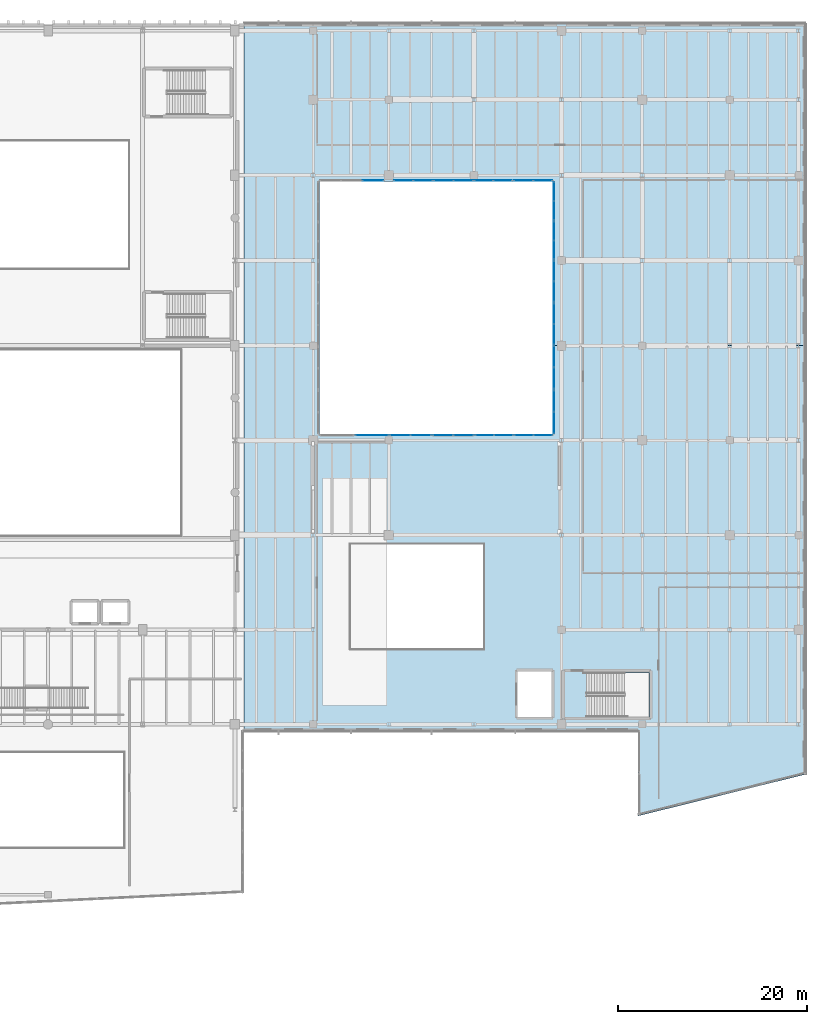
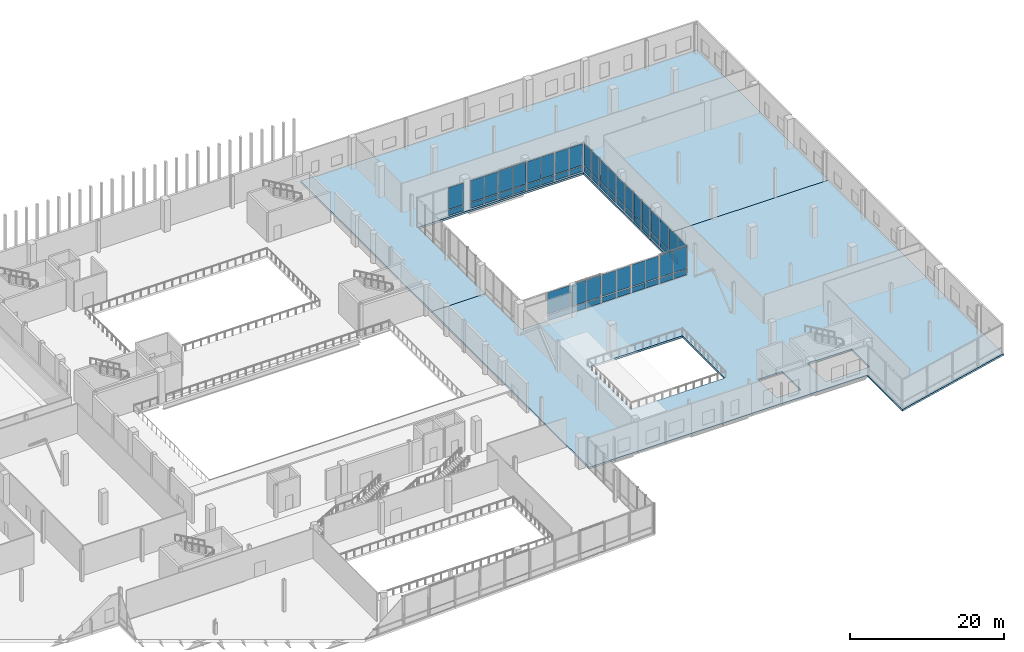
# One storey, part 55 of 81: 60 plates, 2 slabs, 16 elements without a shape of their own.
"""IFC4 building model written with IfcOpenShell, lengths in metres."""

from ifc_helpers import new_model, si_unit, direction, frame, origin, origin_2d, place, context, subcontext, project, spatial, polyline, rectangle, outline, extrude, material, layer, layer_set, type_object, element, aggregate, save


model = new_model("IFC4")

# Units and contexts
model_context = context("Model", 3, precision=1e-05, world=origin(), true_north=direction((0.0, 1.0)))
body_context = subcontext(model_context, "Body", "Model", "MODEL_VIEW")
ifc_project = project(units=[si_unit("LENGTHUNIT", "METRE"), si_unit("AREAUNIT", "SQUARE_METRE"), si_unit("VOLUMEUNIT", "CUBIC_METRE"), si_unit("PLANEANGLEUNIT", "RADIAN"), si_unit("MASSUNIT", "GRAM", prefix="KILO")], contexts=[model_context])

# Site, building, storey
site_placement = place(None, origin())
site = spatial("IfcSite", under=ifc_project, at=site_placement, CompositionType="ELEMENT")
building_placement = place(site_placement, origin())
building = spatial("IfcBuilding", under=site, at=building_placement, Name="Trimount Lyric Opera House", CompositionType="ELEMENT")
storey_placement = place(building_placement, frame((0.0, 0.0, 5.0)))
storey = spatial("IfcBuildingStorey", under=building, at=storey_placement, Name="L01", CompositionType="ELEMENT", Elevation=5.0)

# Curtain wall, plate
ifc_material_1 = material(Name="Thermally Broken Aluminium and Low-E Glass", Category="aluminium")
curtain_wall_type = type_object("IfcCurtainWallType", Name="CW-03", PredefinedType="NOTDEFINED", material=ifc_material_1)
curtain_wall_1_placement = place(storey_placement, origin())
curtain_wall_1 = element("IfcCurtainWall", 1, at=curtain_wall_1_placement, inside=storey, type_object=curtain_wall_type, Name="L01 curtain wall 121", PredefinedType="NOTDEFINED")
ifc_material_2 = material(Name="Triple Low-E Acoustic Laminated Glass", Category="glass")
ifc_layer_1 = layer(ifc_material_2, 0.035888671875)
ifc_layer_set_1 = layer_set([ifc_layer_1], Name="CWP-01")
plate_type_1 = type_object("IfcPlateType", Name="CWP-01", PredefinedType="CURTAIN_PANEL", material=ifc_layer_set_1)
plate_1_placement = place(storey_placement, frame((128.215087890625, 74.5400390625, 0.13525390625), z_axis=(0.0, 0.0, 1.0), x_axis=(1.0, 0.0, 0.0)))
plate_1 = element("IfcPlate", 2, at=plate_1_placement, type_object=plate_type_1, Name="CW-03 panel 1.1", PredefinedType="CURTAIN_PANEL", context=body_context, shape_type="SweptSolid", body=[
    extrude(rectangle(XDim=3.43994140625, YDim=0.035888671875, at=origin_2d()), origin(), (0.0, 0.0, 1.0), 0.847412109375),
])

# Curtain wall, plates
curtain_wall_2_placement = place(storey_placement, origin())
curtain_wall_2 = element("IfcCurtainWall", 3, at=curtain_wall_2_placement, inside=storey, type_object=curtain_wall_type, Name="L01 curtain wall 122", PredefinedType="NOTDEFINED")
plate_2_placement = place(storey_placement, frame((131.20751953125, 74.5400390625, 0.114990234375), z_axis=(0.0, 0.0, 1.0), x_axis=(1.0, 0.0, 0.0)))
plate_2 = element("IfcPlate", 4, at=plate_2_placement, type_object=plate_type_1, Name="CW-03 panel 1.1", PredefinedType="CURTAIN_PANEL", context=body_context, shape_type="SweptSolid", body=[
    extrude(rectangle(XDim=2.114990234375, YDim=0.035888671875, at=origin_2d()), origin(), (0.0, 0.0, 1.0), 0.87744140625),
])
plate_3_placement = place(storey_placement, frame((133.382568359375, 74.5400390625, 0.114990234375), z_axis=(0.0, 0.0, 1.0), x_axis=(1.0, 0.0, 0.0)))
plate_3 = element("IfcPlate", 5, at=plate_3_placement, type_object=plate_type_1, Name="CW-03 panel 2.1", PredefinedType="CURTAIN_PANEL", context=body_context, shape_type="SweptSolid", body=[
    extrude(rectangle(XDim=2.114990234375, YDim=0.035888671875, at=origin_2d()), origin(), (0.0, 0.0, 1.0), 0.87744140625),
])

curtain_wall_3_placement = place(storey_placement, origin())
curtain_wall_3 = element("IfcCurtainWall", 6, at=curtain_wall_3_placement, inside=storey, type_object=curtain_wall_type, Name="L01 curtain wall 123", PredefinedType="NOTDEFINED")
plate_4_placement = place(storey_placement, frame((135.7099609375, 74.5400390625, 0.159912109375), z_axis=(0.0, 0.0, 1.0), x_axis=(1.0, 0.0, 0.0)))
plate_4 = element("IfcPlate", 7, at=plate_4_placement, type_object=plate_type_1, Name="CW-03 panel 1.1", PredefinedType="CURTAIN_PANEL", context=body_context, shape_type="SweptSolid", body=[
    extrude(rectangle(XDim=2.10009765625, YDim=0.035888671875, at=origin_2d()), origin(), (0.0, 0.0, 1.0), 0.81005859375),
])
plate_5_placement = place(storey_placement, frame((137.8798828125, 74.5400390625, 0.159912109375), z_axis=(0.0, 0.0, 1.0), x_axis=(1.0, 0.0, 0.0)))
plate_5 = element("IfcPlate", 8, at=plate_5_placement, type_object=plate_type_1, Name="CW-03 panel 2.1", PredefinedType="CURTAIN_PANEL", context=body_context, shape_type="SweptSolid", body=[
    extrude(rectangle(XDim=2.10009765625, YDim=0.035888671875, at=origin_2d()), origin(), (0.0, 0.0, 1.0), 0.81005859375),
])

curtain_wall_4_placement = place(storey_placement, origin())
curtain_wall_4 = element("IfcCurtainWall", 9, at=curtain_wall_4_placement, inside=storey, type_object=curtain_wall_type, Name="L01 curtain wall 124", PredefinedType="NOTDEFINED")
plate_6_placement = place(storey_placement, frame((140.123779296875, 74.5400390625, 0.13525390625), z_axis=(0.0, 0.0, 1.0), x_axis=(1.0, 0.0, 0.0)))
plate_6 = element("IfcPlate", 10, at=plate_6_placement, type_object=plate_type_1, Name="CW-03 panel 1.1", PredefinedType="CURTAIN_PANEL", context=body_context, shape_type="SweptSolid", body=[
    extrude(rectangle(XDim=1.9375, YDim=0.035888671875, at=origin_2d()), origin(), (0.0, 0.0, 1.0), 0.847412109375),
])
plate_7_placement = place(storey_placement, frame((142.126220703125, 74.5400390625, 0.13525390625), z_axis=(0.0, 0.0, 1.0), x_axis=(1.0, 0.0, 0.0)))
plate_7 = element("IfcPlate", 11, at=plate_7_placement, type_object=plate_type_1, Name="CW-03 panel 2.1", PredefinedType="CURTAIN_PANEL", context=body_context, shape_type="SweptSolid", body=[
    extrude(rectangle(XDim=1.9375, YDim=0.035888671875, at=origin_2d()), origin(), (0.0, 0.0, 1.0), 0.847412109375),
])

curtain_wall_5_placement = place(storey_placement, origin())
curtain_wall_5 = element("IfcCurtainWall", 12, at=curtain_wall_5_placement, inside=storey, type_object=curtain_wall_type, Name="L01 curtain wall 125", PredefinedType="NOTDEFINED")
plate_8_placement = place(storey_placement, frame((144.282470703125, 74.5400390625, 0.114990234375), z_axis=(0.0, 0.0, 1.0), x_axis=(1.0, 0.0, 0.0)))
plate_8 = element("IfcPlate", 13, at=plate_8_placement, type_object=plate_type_1, Name="CW-03 panel 1.1", PredefinedType="CURTAIN_PANEL", context=body_context, shape_type="SweptSolid", body=[
    extrude(rectangle(XDim=1.945068359375, YDim=0.035888671875, at=origin_2d()), origin(), (0.0, 0.0, 1.0), 0.87744140625),
])
plate_9_placement = place(storey_placement, frame((146.28759765625, 74.5400390625, 0.114990234375), z_axis=(0.0, 0.0, 1.0), x_axis=(1.0, 0.0, 0.0)))
plate_9 = element("IfcPlate", 14, at=plate_9_placement, type_object=plate_type_1, Name="CW-03 panel 2.1", PredefinedType="CURTAIN_PANEL", context=body_context, shape_type="SweptSolid", body=[
    extrude(rectangle(XDim=1.945068359375, YDim=0.035888671875, at=origin_2d()), origin(), (0.0, 0.0, 1.0), 0.87744140625),
])

curtain_wall_6_placement = place(storey_placement, origin())
curtain_wall_6 = element("IfcCurtainWall", 15, at=curtain_wall_6_placement, inside=storey, type_object=curtain_wall_type, Name="L01 curtain wall 126", PredefinedType="NOTDEFINED")
plate_10_placement = place(storey_placement, frame((147.4599609375, 75.862548828125, 0.159912109375), z_axis=(0.0, 0.0, 1.0), x_axis=(0.0, 1.0, 0.0)))
plate_10 = element("IfcPlate", 16, at=plate_10_placement, type_object=plate_type_1, Name="CW-03 panel 1.1", PredefinedType="CURTAIN_PANEL", context=body_context, shape_type="SweptSolid", body=[
    extrude(rectangle(XDim=2.22509765625, YDim=0.035888671875, at=origin_2d()), origin(), (0.0, 0.0, 1.0), 0.81005859375),
])
plate_11_placement = place(storey_placement, frame((147.4599609375, 78.157470703125, 0.159912109375), z_axis=(0.0, 0.0, 1.0), x_axis=(0.0, 1.0, 0.0)))
plate_11 = element("IfcPlate", 17, at=plate_11_placement, type_object=plate_type_1, Name="CW-03 panel 2.1", PredefinedType="CURTAIN_PANEL", context=body_context, shape_type="SweptSolid", body=[
    extrude(rectangle(XDim=2.22509765625, YDim=0.035888671875, at=origin_2d()), origin(), (0.0, 0.0, 1.0), 0.81005859375),
])

curtain_wall_7_placement = place(storey_placement, origin())
curtain_wall_7 = element("IfcCurtainWall", 18, at=curtain_wall_7_placement, inside=storey, type_object=curtain_wall_type, Name="L01 curtain wall 127", PredefinedType="NOTDEFINED")
plate_12_placement = place(storey_placement, frame((147.4599609375, 80.5888671875, 0.13525390625), z_axis=(0.0, 0.0, 1.0), x_axis=(0.0, 1.0, 0.0)))
plate_12 = element("IfcPlate", 19, at=plate_12_placement, type_object=plate_type_1, Name="CW-03 panel 1.1", PredefinedType="CURTAIN_PANEL", context=body_context, shape_type="SweptSolid", body=[
    extrude(rectangle(XDim=2.1875, YDim=0.035888671875, at=origin_2d()), origin(), (0.0, 0.0, 1.0), 0.847412109375),
])
plate_13_placement = place(storey_placement, frame((147.4599609375, 82.84130859375, 0.13525390625), z_axis=(0.0, 0.0, 1.0), x_axis=(0.0, 1.0, 0.0)))
plate_13 = element("IfcPlate", 20, at=plate_13_placement, type_object=plate_type_1, Name="CW-03 panel 2.1", PredefinedType="CURTAIN_PANEL", context=body_context, shape_type="SweptSolid", body=[
    extrude(rectangle(XDim=2.1875, YDim=0.035888671875, at=origin_2d()), origin(), (0.0, 0.0, 1.0), 0.847412109375),
])

curtain_wall_8_placement = place(storey_placement, origin())
curtain_wall_8 = element("IfcCurtainWall", 21, at=curtain_wall_8_placement, inside=storey, type_object=curtain_wall_type, Name="L01 curtain wall 128", PredefinedType="NOTDEFINED")
plate_14_placement = place(storey_placement, frame((147.4599609375, 85.20751953125, 0.114990234375), z_axis=(0.0, 0.0, 1.0), x_axis=(0.0, 1.0, 0.0)))
plate_14 = element("IfcPlate", 22, at=plate_14_placement, type_object=plate_type_1, Name="CW-03 panel 1.1", PredefinedType="CURTAIN_PANEL", context=body_context, shape_type="SweptSolid", body=[
    extrude(rectangle(XDim=2.114990234375, YDim=0.035888671875, at=origin_2d()), origin(), (0.0, 0.0, 1.0), 0.87744140625),
])
plate_15_placement = place(storey_placement, frame((147.4599609375, 87.382568359375, 0.114990234375), z_axis=(0.0, 0.0, 1.0), x_axis=(0.0, 1.0, 0.0)))
plate_15 = element("IfcPlate", 23, at=plate_15_placement, type_object=plate_type_1, Name="CW-03 panel 2.1", PredefinedType="CURTAIN_PANEL", context=body_context, shape_type="SweptSolid", body=[
    extrude(rectangle(XDim=2.114990234375, YDim=0.035888671875, at=origin_2d()), origin(), (0.0, 0.0, 1.0), 0.87744140625),
])

curtain_wall_9_placement = place(storey_placement, origin())
curtain_wall_9 = element("IfcCurtainWall", 24, at=curtain_wall_9_placement, inside=storey, type_object=curtain_wall_type, Name="L01 curtain wall 129", PredefinedType="NOTDEFINED")
plate_16_placement = place(storey_placement, frame((147.4599609375, 89.7099609375, 0.159912109375), z_axis=(0.0, 0.0, 1.0), x_axis=(0.0, 1.0, 0.0)))
plate_16 = element("IfcPlate", 25, at=plate_16_placement, type_object=plate_type_1, Name="CW-03 panel 1.1", PredefinedType="CURTAIN_PANEL", context=body_context, shape_type="SweptSolid", body=[
    extrude(rectangle(XDim=2.10009765625, YDim=0.035888671875, at=origin_2d()), origin(), (0.0, 0.0, 1.0), 0.81005859375),
])
plate_17_placement = place(storey_placement, frame((147.4599609375, 91.8798828125, 0.159912109375), z_axis=(0.0, 0.0, 1.0), x_axis=(0.0, 1.0, 0.0)))
plate_17 = element("IfcPlate", 26, at=plate_17_placement, type_object=plate_type_1, Name="CW-03 panel 2.1", PredefinedType="CURTAIN_PANEL", context=body_context, shape_type="SweptSolid", body=[
    extrude(rectangle(XDim=2.10009765625, YDim=0.035888671875, at=origin_2d()), origin(), (0.0, 0.0, 1.0), 0.81005859375),
])

curtain_wall_10_placement = place(storey_placement, origin())
curtain_wall_10 = element("IfcCurtainWall", 27, at=curtain_wall_10_placement, inside=storey, type_object=curtain_wall_type, Name="L01 curtain wall 130", PredefinedType="NOTDEFINED")
plate_18_placement = place(storey_placement, frame((147.4599609375, 94.123779296875, 0.13525390625), z_axis=(0.0, 0.0, 1.0), x_axis=(0.0, 1.0, 0.0)))
plate_18 = element("IfcPlate", 28, at=plate_18_placement, type_object=plate_type_1, Name="CW-03 panel 1.1", PredefinedType="CURTAIN_PANEL", context=body_context, shape_type="SweptSolid", body=[
    extrude(rectangle(XDim=1.9375, YDim=0.035888671875, at=origin_2d()), origin(), (0.0, 0.0, 1.0), 0.847412109375),
])
plate_19_placement = place(storey_placement, frame((147.4599609375, 96.126220703125, 0.13525390625), z_axis=(0.0, 0.0, 1.0), x_axis=(0.0, 1.0, 0.0)))
plate_19 = element("IfcPlate", 29, at=plate_19_placement, type_object=plate_type_1, Name="CW-03 panel 2.1", PredefinedType="CURTAIN_PANEL", context=body_context, shape_type="SweptSolid", body=[
    extrude(rectangle(XDim=1.9375, YDim=0.035888671875, at=origin_2d()), origin(), (0.0, 0.0, 1.0), 0.847412109375),
])

curtain_wall_11_placement = place(storey_placement, origin())
curtain_wall_11 = element("IfcCurtainWall", 30, at=curtain_wall_11_placement, inside=storey, type_object=curtain_wall_type, Name="L01 curtain wall 131", PredefinedType="NOTDEFINED")
plate_20_placement = place(storey_placement, frame((147.4599609375, 98.282470703125, 0.114990234375), z_axis=(0.0, 0.0, 1.0), x_axis=(0.0, 1.0, 0.0)))
plate_20 = element("IfcPlate", 31, at=plate_20_placement, type_object=plate_type_1, Name="CW-03 panel 1.1", PredefinedType="CURTAIN_PANEL", context=body_context, shape_type="SweptSolid", body=[
    extrude(rectangle(XDim=1.945068359375, YDim=0.035888671875, at=origin_2d()), origin(), (0.0, 0.0, 1.0), 0.87744140625),
])
plate_21_placement = place(storey_placement, frame((147.4599609375, 100.28759765625, 0.114990234375), z_axis=(0.0, 0.0, 1.0), x_axis=(0.0, 1.0, 0.0)))
plate_21 = element("IfcPlate", 32, at=plate_21_placement, type_object=plate_type_1, Name="CW-03 panel 2.1", PredefinedType="CURTAIN_PANEL", context=body_context, shape_type="SweptSolid", body=[
    extrude(rectangle(XDim=1.945068359375, YDim=0.035888671875, at=origin_2d()), origin(), (0.0, 0.0, 1.0), 0.87744140625),
])

curtain_wall_12_placement = place(storey_placement, origin())
curtain_wall_12 = element("IfcCurtainWall", 33, at=curtain_wall_12_placement, inside=storey, type_object=curtain_wall_type, Name="L01 curtain wall 132", PredefinedType="NOTDEFINED")
plate_22_placement = place(storey_placement, frame((146.262451171875, 101.4599609375, 0.159912109375), z_axis=(0.0, 0.0, 1.0), x_axis=(-1.0, 0.0, 0.0)))
plate_22 = element("IfcPlate", 34, at=plate_22_placement, type_object=plate_type_1, Name="CW-03 panel 1.1", PredefinedType="CURTAIN_PANEL", context=body_context, shape_type="SweptSolid", body=[
    extrude(rectangle(XDim=1.97509765625, YDim=0.035888671875, at=origin_2d()), origin(), (0.0, 0.0, 1.0), 0.81005859375),
])
plate_23_placement = place(storey_placement, frame((144.217529296875, 101.4599609375, 0.159912109375), z_axis=(0.0, 0.0, 1.0), x_axis=(-1.0, 0.0, 0.0)))
plate_23 = element("IfcPlate", 35, at=plate_23_placement, type_object=plate_type_1, Name="CW-03 panel 2.1", PredefinedType="CURTAIN_PANEL", context=body_context, shape_type="SweptSolid", body=[
    extrude(rectangle(XDim=1.97509765625, YDim=0.035888671875, at=origin_2d()), origin(), (0.0, 0.0, 1.0), 0.81005859375),
])

curtain_wall_13_placement = place(storey_placement, origin())
curtain_wall_13 = element("IfcCurtainWall", 36, at=curtain_wall_13_placement, inside=storey, type_object=curtain_wall_type, Name="L01 curtain wall 133", PredefinedType="NOTDEFINED")
plate_24_placement = place(storey_placement, frame((142.0361328125, 101.4599609375, 0.13525390625), z_axis=(0.0, 0.0, 1.0), x_axis=(-1.0, 0.0, 0.0)))
plate_24 = element("IfcPlate", 37, at=plate_24_placement, type_object=plate_type_1, Name="CW-03 panel 1.1", PredefinedType="CURTAIN_PANEL", context=body_context, shape_type="SweptSolid", body=[
    extrude(rectangle(XDim=1.9375, YDim=0.035888671875, at=origin_2d()), origin(), (0.0, 0.0, 1.0), 0.847412109375),
])
plate_25_placement = place(storey_placement, frame((140.03369140625, 101.4599609375, 0.13525390625), z_axis=(0.0, 0.0, 1.0), x_axis=(-1.0, 0.0, 0.0)))
plate_25 = element("IfcPlate", 38, at=plate_25_placement, type_object=plate_type_1, Name="CW-03 panel 2.1", PredefinedType="CURTAIN_PANEL", context=body_context, shape_type="SweptSolid", body=[
    extrude(rectangle(XDim=1.9375, YDim=0.035888671875, at=origin_2d()), origin(), (0.0, 0.0, 1.0), 0.847412109375),
])

curtain_wall_14_placement = place(storey_placement, origin())
curtain_wall_14 = element("IfcCurtainWall", 39, at=curtain_wall_14_placement, inside=storey, type_object=curtain_wall_type, Name="L01 curtain wall 134", PredefinedType="NOTDEFINED")
plate_26_placement = place(storey_placement, frame((137.85498046875, 101.4599609375, 0.114990234375), z_axis=(0.0, 0.0, 1.0), x_axis=(-1.0, 0.0, 0.0)))
plate_26 = element("IfcPlate", 40, at=plate_26_placement, type_object=plate_type_1, Name="CW-03 panel 1.1", PredefinedType="CURTAIN_PANEL", context=body_context, shape_type="SweptSolid", body=[
    extrude(rectangle(XDim=1.989990234375, YDim=0.035888671875, at=origin_2d()), origin(), (0.0, 0.0, 1.0), 0.87744140625),
])
plate_27_placement = place(storey_placement, frame((135.804931640625, 101.4599609375, 0.114990234375), z_axis=(0.0, 0.0, 1.0), x_axis=(-1.0, 0.0, 0.0)))
plate_27 = element("IfcPlate", 41, at=plate_27_placement, type_object=plate_type_1, Name="CW-03 panel 2.1", PredefinedType="CURTAIN_PANEL", context=body_context, shape_type="SweptSolid", body=[
    extrude(rectangle(XDim=1.989990234375, YDim=0.035888671875, at=origin_2d()), origin(), (0.0, 0.0, 1.0), 0.87744140625),
])

curtain_wall_15_placement = place(storey_placement, origin())
curtain_wall_15 = element("IfcCurtainWall", 42, at=curtain_wall_15_placement, inside=storey, type_object=curtain_wall_type, Name="L01 curtain wall 135", PredefinedType="NOTDEFINED")
plate_28_placement = place(storey_placement, frame((133.6025390625, 101.4599609375, 0.159912109375), z_axis=(0.0, 0.0, 1.0), x_axis=(-1.0, 0.0, 0.0)))
plate_28 = element("IfcPlate", 43, at=plate_28_placement, type_object=plate_type_1, Name="CW-03 panel 1.1", PredefinedType="CURTAIN_PANEL", context=body_context, shape_type="SweptSolid", body=[
    extrude(rectangle(XDim=1.97509765625, YDim=0.035888671875, at=origin_2d()), origin(), (0.0, 0.0, 1.0), 0.81005859375),
])
plate_29_placement = place(storey_placement, frame((131.5576171875, 101.4599609375, 0.159912109375), z_axis=(0.0, 0.0, 1.0), x_axis=(-1.0, 0.0, 0.0)))
plate_29 = element("IfcPlate", 44, at=plate_29_placement, type_object=plate_type_1, Name="CW-03 panel 2.1", PredefinedType="CURTAIN_PANEL", context=body_context, shape_type="SweptSolid", body=[
    extrude(rectangle(XDim=1.97509765625, YDim=0.035888671875, at=origin_2d()), origin(), (0.0, 0.0, 1.0), 0.81005859375),
])

# Curtain wall, plate
curtain_wall_16_placement = place(storey_placement, origin())
curtain_wall_16 = element("IfcCurtainWall", 45, at=curtain_wall_16_placement, inside=storey, type_object=curtain_wall_type, Name="L01 curtain wall 136", PredefinedType="NOTDEFINED")
plate_30_placement = place(storey_placement, frame((128.34716796875, 101.4599609375, 0.13525390625), z_axis=(0.0, 0.0, 1.0), x_axis=(-1.0, 0.0, 0.0)))
plate_30 = element("IfcPlate", 46, at=plate_30_placement, type_object=plate_type_1, Name="CW-03 panel 1.1", PredefinedType="CURTAIN_PANEL", context=body_context, shape_type="SweptSolid", body=[
    extrude(rectangle(XDim=2.17578125, YDim=0.035888671875, at=origin_2d()), origin(), (0.0, 0.0, 1.0), 0.847412109375),
])

# Plate
ifc_material_3 = material(Name="Insulated Aluminium Shadow-Box Spandrel Panel", Category="aluminium")
ifc_layer_2 = layer(ifc_material_3, 0.0419921875)
ifc_layer_set_2 = layer_set([ifc_layer_2], Name="CWP-04")
plate_type_2 = type_object("IfcPlateType", Name="CWP-04", PredefinedType="CURTAIN_PANEL", material=ifc_layer_set_2)
plate_31_placement = place(storey_placement, frame((128.215087890625, 74.5400390625, 1.11767578125), z_axis=(0.0, 0.0, 1.0), x_axis=(1.0, 0.0, 0.0)))
plate_31 = element("IfcPlate", 47, at=plate_31_placement, type_object=plate_type_2, Name="CW-03 panel 1.2", PredefinedType="CURTAIN_PANEL", context=body_context, shape_type="SweptSolid", body=[
    extrude(rectangle(XDim=3.43994140625, YDim=0.035888671875, at=origin_2d()), origin(), (0.0, 0.0, 1.0), 3.427490234375),
])

aggregate(curtain_wall_1, [plate_1, plate_31])

plate_32_placement = place(storey_placement, frame((131.20751953125, 74.5400390625, 1.107421875), z_axis=(0.0, 0.0, 1.0), x_axis=(1.0, 0.0, 0.0)))
plate_32 = element("IfcPlate", 48, at=plate_32_placement, type_object=plate_type_2, Name="CW-03 panel 1.2", PredefinedType="CURTAIN_PANEL", context=body_context, shape_type="SweptSolid", body=[
    extrude(rectangle(XDim=2.114990234375, YDim=0.035888671875, at=origin_2d()), origin(), (0.0, 0.0, 1.0), 3.45751953125),
])

plate_33_placement = place(storey_placement, frame((133.382568359375, 74.5400390625, 1.107421875), z_axis=(0.0, 0.0, 1.0), x_axis=(1.0, 0.0, 0.0)))
plate_33 = element("IfcPlate", 49, at=plate_33_placement, type_object=plate_type_2, Name="CW-03 panel 2.2", PredefinedType="CURTAIN_PANEL", context=body_context, shape_type="SweptSolid", body=[
    extrude(rectangle(XDim=2.114990234375, YDim=0.035888671875, at=origin_2d()), origin(), (0.0, 0.0, 1.0), 3.45751953125),
])

aggregate(curtain_wall_2, [plate_2, plate_32, plate_3, plate_33])

plate_34_placement = place(storey_placement, frame((135.7099609375, 74.5400390625, 1.1298828125), z_axis=(0.0, 0.0, 1.0), x_axis=(1.0, 0.0, 0.0)))
plate_34 = element("IfcPlate", 50, at=plate_34_placement, type_object=plate_type_2, Name="CW-03 panel 1.2", PredefinedType="CURTAIN_PANEL", context=body_context, shape_type="SweptSolid", body=[
    extrude(rectangle(XDim=2.10009765625, YDim=0.035888671875, at=origin_2d()), origin(), (0.0, 0.0, 1.0), 3.389892578125),
])

plate_35_placement = place(storey_placement, frame((137.8798828125, 74.5400390625, 1.1298828125), z_axis=(0.0, 0.0, 1.0), x_axis=(1.0, 0.0, 0.0)))
plate_35 = element("IfcPlate", 51, at=plate_35_placement, type_object=plate_type_2, Name="CW-03 panel 2.2", PredefinedType="CURTAIN_PANEL", context=body_context, shape_type="SweptSolid", body=[
    extrude(rectangle(XDim=2.10009765625, YDim=0.035888671875, at=origin_2d()), origin(), (0.0, 0.0, 1.0), 3.389892578125),
])

aggregate(curtain_wall_3, [plate_4, plate_34, plate_5, plate_35])

plate_36_placement = place(storey_placement, frame((140.123779296875, 74.5400390625, 1.11767578125), z_axis=(0.0, 0.0, 1.0), x_axis=(1.0, 0.0, 0.0)))
plate_36 = element("IfcPlate", 52, at=plate_36_placement, type_object=plate_type_2, Name="CW-03 panel 1.2", PredefinedType="CURTAIN_PANEL", context=body_context, shape_type="SweptSolid", body=[
    extrude(rectangle(XDim=1.9375, YDim=0.035888671875, at=origin_2d()), origin(), (0.0, 0.0, 1.0), 3.427490234375),
])

plate_37_placement = place(storey_placement, frame((142.126220703125, 74.5400390625, 1.11767578125), z_axis=(0.0, 0.0, 1.0), x_axis=(1.0, 0.0, 0.0)))
plate_37 = element("IfcPlate", 53, at=plate_37_placement, type_object=plate_type_2, Name="CW-03 panel 2.2", PredefinedType="CURTAIN_PANEL", context=body_context, shape_type="SweptSolid", body=[
    extrude(rectangle(XDim=1.9375, YDim=0.035888671875, at=origin_2d()), origin(), (0.0, 0.0, 1.0), 3.427490234375),
])

aggregate(curtain_wall_4, [plate_6, plate_36, plate_7, plate_37])

plate_38_placement = place(storey_placement, frame((144.282470703125, 74.5400390625, 1.107421875), z_axis=(0.0, 0.0, 1.0), x_axis=(1.0, 0.0, 0.0)))
plate_38 = element("IfcPlate", 54, at=plate_38_placement, type_object=plate_type_2, Name="CW-03 panel 1.2", PredefinedType="CURTAIN_PANEL", context=body_context, shape_type="SweptSolid", body=[
    extrude(rectangle(XDim=1.945068359375, YDim=0.035888671875, at=origin_2d()), origin(), (0.0, 0.0, 1.0), 3.45751953125),
])

plate_39_placement = place(storey_placement, frame((146.28759765625, 74.5400390625, 1.107421875), z_axis=(0.0, 0.0, 1.0), x_axis=(1.0, 0.0, 0.0)))
plate_39 = element("IfcPlate", 55, at=plate_39_placement, type_object=plate_type_2, Name="CW-03 panel 2.2", PredefinedType="CURTAIN_PANEL", context=body_context, shape_type="SweptSolid", body=[
    extrude(rectangle(XDim=1.945068359375, YDim=0.035888671875, at=origin_2d()), origin(), (0.0, 0.0, 1.0), 3.45751953125),
])

aggregate(curtain_wall_5, [plate_8, plate_38, plate_9, plate_39])

plate_40_placement = place(storey_placement, frame((147.4599609375, 75.862548828125, 1.1298828125), z_axis=(0.0, 0.0, 1.0), x_axis=(0.0, 1.0, 0.0)))
plate_40 = element("IfcPlate", 56, at=plate_40_placement, type_object=plate_type_2, Name="CW-03 panel 1.2", PredefinedType="CURTAIN_PANEL", context=body_context, shape_type="SweptSolid", body=[
    extrude(rectangle(XDim=2.22509765625, YDim=0.035888671875, at=origin_2d()), origin(), (0.0, 0.0, 1.0), 3.389892578125),
])

plate_41_placement = place(storey_placement, frame((147.4599609375, 78.157470703125, 1.1298828125), z_axis=(0.0, 0.0, 1.0), x_axis=(0.0, 1.0, 0.0)))
plate_41 = element("IfcPlate", 57, at=plate_41_placement, type_object=plate_type_2, Name="CW-03 panel 2.2", PredefinedType="CURTAIN_PANEL", context=body_context, shape_type="SweptSolid", body=[
    extrude(rectangle(XDim=2.22509765625, YDim=0.035888671875, at=origin_2d()), origin(), (0.0, 0.0, 1.0), 3.389892578125),
])

aggregate(curtain_wall_6, [plate_10, plate_40, plate_11, plate_41])

plate_42_placement = place(storey_placement, frame((147.4599609375, 80.5888671875, 1.11767578125), z_axis=(0.0, 0.0, 1.0), x_axis=(0.0, 1.0, 0.0)))
plate_42 = element("IfcPlate", 58, at=plate_42_placement, type_object=plate_type_2, Name="CW-03 panel 1.2", PredefinedType="CURTAIN_PANEL", context=body_context, shape_type="SweptSolid", body=[
    extrude(rectangle(XDim=2.1875, YDim=0.035888671875, at=origin_2d()), origin(), (0.0, 0.0, 1.0), 3.427490234375),
])

plate_43_placement = place(storey_placement, frame((147.4599609375, 82.84130859375, 1.11767578125), z_axis=(0.0, 0.0, 1.0), x_axis=(0.0, 1.0, 0.0)))
plate_43 = element("IfcPlate", 59, at=plate_43_placement, type_object=plate_type_2, Name="CW-03 panel 2.2", PredefinedType="CURTAIN_PANEL", context=body_context, shape_type="SweptSolid", body=[
    extrude(rectangle(XDim=2.1875, YDim=0.035888671875, at=origin_2d()), origin(), (0.0, 0.0, 1.0), 3.427490234375),
])

aggregate(curtain_wall_7, [plate_12, plate_42, plate_13, plate_43])

plate_44_placement = place(storey_placement, frame((147.4599609375, 85.20751953125, 1.107421875), z_axis=(0.0, 0.0, 1.0), x_axis=(0.0, 1.0, 0.0)))
plate_44 = element("IfcPlate", 60, at=plate_44_placement, type_object=plate_type_2, Name="CW-03 panel 1.2", PredefinedType="CURTAIN_PANEL", context=body_context, shape_type="SweptSolid", body=[
    extrude(rectangle(XDim=2.114990234375, YDim=0.035888671875, at=origin_2d()), origin(), (0.0, 0.0, 1.0), 3.45751953125),
])

plate_45_placement = place(storey_placement, frame((147.4599609375, 87.382568359375, 1.107421875), z_axis=(0.0, 0.0, 1.0), x_axis=(0.0, 1.0, 0.0)))
plate_45 = element("IfcPlate", 61, at=plate_45_placement, type_object=plate_type_2, Name="CW-03 panel 2.2", PredefinedType="CURTAIN_PANEL", context=body_context, shape_type="SweptSolid", body=[
    extrude(rectangle(XDim=2.114990234375, YDim=0.035888671875, at=origin_2d()), origin(), (0.0, 0.0, 1.0), 3.45751953125),
])

aggregate(curtain_wall_8, [plate_14, plate_44, plate_15, plate_45])

plate_46_placement = place(storey_placement, frame((147.4599609375, 89.7099609375, 1.1298828125), z_axis=(0.0, 0.0, 1.0), x_axis=(0.0, 1.0, 0.0)))
plate_46 = element("IfcPlate", 62, at=plate_46_placement, type_object=plate_type_2, Name="CW-03 panel 1.2", PredefinedType="CURTAIN_PANEL", context=body_context, shape_type="SweptSolid", body=[
    extrude(rectangle(XDim=2.10009765625, YDim=0.035888671875, at=origin_2d()), origin(), (0.0, 0.0, 1.0), 3.389892578125),
])

plate_47_placement = place(storey_placement, frame((147.4599609375, 91.8798828125, 1.1298828125), z_axis=(0.0, 0.0, 1.0), x_axis=(0.0, 1.0, 0.0)))
plate_47 = element("IfcPlate", 63, at=plate_47_placement, type_object=plate_type_2, Name="CW-03 panel 2.2", PredefinedType="CURTAIN_PANEL", context=body_context, shape_type="SweptSolid", body=[
    extrude(rectangle(XDim=2.10009765625, YDim=0.035888671875, at=origin_2d()), origin(), (0.0, 0.0, 1.0), 3.389892578125),
])

aggregate(curtain_wall_9, [plate_16, plate_46, plate_17, plate_47])

plate_48_placement = place(storey_placement, frame((147.4599609375, 94.123779296875, 1.11767578125), z_axis=(0.0, 0.0, 1.0), x_axis=(0.0, 1.0, 0.0)))
plate_48 = element("IfcPlate", 64, at=plate_48_placement, type_object=plate_type_2, Name="CW-03 panel 1.2", PredefinedType="CURTAIN_PANEL", context=body_context, shape_type="SweptSolid", body=[
    extrude(rectangle(XDim=1.9375, YDim=0.035888671875, at=origin_2d()), origin(), (0.0, 0.0, 1.0), 3.427490234375),
])

plate_49_placement = place(storey_placement, frame((147.4599609375, 96.126220703125, 1.11767578125), z_axis=(0.0, 0.0, 1.0), x_axis=(0.0, 1.0, 0.0)))
plate_49 = element("IfcPlate", 65, at=plate_49_placement, type_object=plate_type_2, Name="CW-03 panel 2.2", PredefinedType="CURTAIN_PANEL", context=body_context, shape_type="SweptSolid", body=[
    extrude(rectangle(XDim=1.9375, YDim=0.035888671875, at=origin_2d()), origin(), (0.0, 0.0, 1.0), 3.427490234375),
])

aggregate(curtain_wall_10, [plate_18, plate_48, plate_19, plate_49])

plate_50_placement = place(storey_placement, frame((147.4599609375, 98.282470703125, 1.107421875), z_axis=(0.0, 0.0, 1.0), x_axis=(0.0, 1.0, 0.0)))
plate_50 = element("IfcPlate", 66, at=plate_50_placement, type_object=plate_type_2, Name="CW-03 panel 1.2", PredefinedType="CURTAIN_PANEL", context=body_context, shape_type="SweptSolid", body=[
    extrude(rectangle(XDim=1.945068359375, YDim=0.035888671875, at=origin_2d()), origin(), (0.0, 0.0, 1.0), 3.45751953125),
])

plate_51_placement = place(storey_placement, frame((147.4599609375, 100.28759765625, 1.107421875), z_axis=(0.0, 0.0, 1.0), x_axis=(0.0, 1.0, 0.0)))
plate_51 = element("IfcPlate", 67, at=plate_51_placement, type_object=plate_type_2, Name="CW-03 panel 2.2", PredefinedType="CURTAIN_PANEL", context=body_context, shape_type="SweptSolid", body=[
    extrude(rectangle(XDim=1.945068359375, YDim=0.035888671875, at=origin_2d()), origin(), (0.0, 0.0, 1.0), 3.45751953125),
])

aggregate(curtain_wall_11, [plate_20, plate_50, plate_21, plate_51])

plate_52_placement = place(storey_placement, frame((146.262451171875, 101.4599609375, 1.1298828125), z_axis=(0.0, 0.0, 1.0), x_axis=(-1.0, 0.0, 0.0)))
plate_52 = element("IfcPlate", 68, at=plate_52_placement, type_object=plate_type_2, Name="CW-03 panel 1.2", PredefinedType="CURTAIN_PANEL", context=body_context, shape_type="SweptSolid", body=[
    extrude(rectangle(XDim=1.97509765625, YDim=0.035888671875, at=origin_2d()), origin(), (0.0, 0.0, 1.0), 3.389892578125),
])

plate_53_placement = place(storey_placement, frame((144.217529296875, 101.4599609375, 1.1298828125), z_axis=(0.0, 0.0, 1.0), x_axis=(-1.0, 0.0, 0.0)))
plate_53 = element("IfcPlate", 69, at=plate_53_placement, type_object=plate_type_2, Name="CW-03 panel 2.2", PredefinedType="CURTAIN_PANEL", context=body_context, shape_type="SweptSolid", body=[
    extrude(rectangle(XDim=1.97509765625, YDim=0.035888671875, at=origin_2d()), origin(), (0.0, 0.0, 1.0), 3.389892578125),
])

aggregate(curtain_wall_12, [plate_22, plate_52, plate_23, plate_53])

plate_54_placement = place(storey_placement, frame((142.0361328125, 101.4599609375, 1.11767578125), z_axis=(0.0, 0.0, 1.0), x_axis=(-1.0, 0.0, 0.0)))
plate_54 = element("IfcPlate", 70, at=plate_54_placement, type_object=plate_type_2, Name="CW-03 panel 1.2", PredefinedType="CURTAIN_PANEL", context=body_context, shape_type="SweptSolid", body=[
    extrude(rectangle(XDim=1.9375, YDim=0.035888671875, at=origin_2d()), origin(), (0.0, 0.0, 1.0), 3.427490234375),
])

plate_55_placement = place(storey_placement, frame((140.03369140625, 101.4599609375, 1.11767578125), z_axis=(0.0, 0.0, 1.0), x_axis=(-1.0, 0.0, 0.0)))
plate_55 = element("IfcPlate", 71, at=plate_55_placement, type_object=plate_type_2, Name="CW-03 panel 2.2", PredefinedType="CURTAIN_PANEL", context=body_context, shape_type="SweptSolid", body=[
    extrude(rectangle(XDim=1.9375, YDim=0.035888671875, at=origin_2d()), origin(), (0.0, 0.0, 1.0), 3.427490234375),
])

aggregate(curtain_wall_13, [plate_24, plate_54, plate_25, plate_55])

plate_56_placement = place(storey_placement, frame((137.85498046875, 101.4599609375, 1.107421875), z_axis=(0.0, 0.0, 1.0), x_axis=(-1.0, 0.0, 0.0)))
plate_56 = element("IfcPlate", 72, at=plate_56_placement, type_object=plate_type_2, Name="CW-03 panel 1.2", PredefinedType="CURTAIN_PANEL", context=body_context, shape_type="SweptSolid", body=[
    extrude(rectangle(XDim=1.989990234375, YDim=0.035888671875, at=origin_2d()), origin(), (0.0, 0.0, 1.0), 3.45751953125),
])

plate_57_placement = place(storey_placement, frame((135.804931640625, 101.4599609375, 1.107421875), z_axis=(0.0, 0.0, 1.0), x_axis=(-1.0, 0.0, 0.0)))
plate_57 = element("IfcPlate", 73, at=plate_57_placement, type_object=plate_type_2, Name="CW-03 panel 2.2", PredefinedType="CURTAIN_PANEL", context=body_context, shape_type="SweptSolid", body=[
    extrude(rectangle(XDim=1.989990234375, YDim=0.035888671875, at=origin_2d()), origin(), (0.0, 0.0, 1.0), 3.45751953125),
])

aggregate(curtain_wall_14, [plate_26, plate_56, plate_27, plate_57])

plate_58_placement = place(storey_placement, frame((133.6025390625, 101.4599609375, 1.1298828125), z_axis=(0.0, 0.0, 1.0), x_axis=(-1.0, 0.0, 0.0)))
plate_58 = element("IfcPlate", 74, at=plate_58_placement, type_object=plate_type_2, Name="CW-03 panel 1.2", PredefinedType="CURTAIN_PANEL", context=body_context, shape_type="SweptSolid", body=[
    extrude(rectangle(XDim=1.97509765625, YDim=0.035888671875, at=origin_2d()), origin(), (0.0, 0.0, 1.0), 3.389892578125),
])

plate_59_placement = place(storey_placement, frame((131.5576171875, 101.4599609375, 1.1298828125), z_axis=(0.0, 0.0, 1.0), x_axis=(-1.0, 0.0, 0.0)))
plate_59 = element("IfcPlate", 75, at=plate_59_placement, type_object=plate_type_2, Name="CW-03 panel 2.2", PredefinedType="CURTAIN_PANEL", context=body_context, shape_type="SweptSolid", body=[
    extrude(rectangle(XDim=1.97509765625, YDim=0.035888671875, at=origin_2d()), origin(), (0.0, 0.0, 1.0), 3.389892578125),
])

aggregate(curtain_wall_15, [plate_28, plate_58, plate_29, plate_59])

plate_60_placement = place(storey_placement, frame((128.34716796875, 101.4599609375, 1.11767578125), z_axis=(0.0, 0.0, 1.0), x_axis=(-1.0, 0.0, 0.0)))
plate_60 = element("IfcPlate", 76, at=plate_60_placement, type_object=plate_type_2, Name="CW-03 panel 1.2", PredefinedType="CURTAIN_PANEL", context=body_context, shape_type="SweptSolid", body=[
    extrude(rectangle(XDim=2.17578125, YDim=0.035888671875, at=origin_2d()), origin(), (0.0, 0.0, 1.0), 3.427490234375),
])

aggregate(curtain_wall_16, [plate_30, plate_60])

# Slabs
ifc_material_4 = material(Name="Concrete C40/50", Category="concrete")
ifc_layer_3 = layer(ifc_material_4, 0.280029296875)
ifc_layer_set_3 = layer_set([ifc_layer_3], Name="SL-FL280")
slab_type_1 = type_object("IfcSlabType", Name="SL-FL280", PredefinedType="FLOOR", material=ifc_layer_set_3)
slab_1_placement = place(storey_placement, frame((0.0, 0.0, -0.280029296875)))
element("IfcSlab", 77, at=slab_1_placement, inside=storey, type_object=slab_type_1, Name="L01 floor slab L01-EAST-S", PredefinedType="FLOOR", context=body_context, shape_type="SweptSolid", body=[
    extrude(outline(polyline([(156.320068359375, 43.320068359375), (114.679931640625, 43.320068359375), (114.679931640625, 84.0), (122.679931640625, 84.0), (122.679931640625, 74.679931640625), (147.320068359375, 74.679931640625), (147.320068359375, 84.0), (174.0, 84.0), (174.0, 38.719970703125), (156.320068359375, 34.320068359375), (156.320068359375, 43.320068359375)]), holes=[polyline([(157.5, 49.5), (150.89990234375, 49.5), (150.89990234375, 44.800048828125), (157.5, 44.800048828125), (157.5, 49.5)]), polyline([(147.199951171875, 49.60009765625), (143.60009765625, 49.60009765625), (143.60009765625, 44.800048828125), (147.199951171875, 44.800048828125), (147.199951171875, 49.60009765625)]), polyline([(126.0, 52.0), (140.0, 52.0), (140.0, 63.0), (126.0, 63.0), (126.0, 52.0)])]), origin(), (0.0, 0.0, 1.0), 0.280029296875),
])
ifc_material_5 = material(Name="Concrete C40/50", Category="concrete")
ifc_layer_4 = layer(ifc_material_5, 0.31005859375)
ifc_layer_set_4 = layer_set([ifc_layer_4], Name="SL-FL310")
slab_type_2 = type_object("IfcSlabType", Name="SL-FL310", PredefinedType="FLOOR", material=ifc_layer_set_4)
slab_2_placement = place(storey_placement, frame((0.0, 0.0, -0.31005859375)))
element("IfcSlab", 78, at=slab_2_placement, inside=storey, type_object=slab_type_2, Name="L01 floor slab L01-EAST-N", PredefinedType="FLOOR", context=body_context, shape_type="SweptSolid", body=[
    extrude(outline(polyline([(174.0, 118.0), (174.0, 84.0), (147.320068359375, 84.0), (147.320068359375, 101.320068359375), (122.679931640625, 101.320068359375), (122.679931640625, 84.0), (114.679931640625, 84.0), (114.679931640625, 118.0), (174.0, 118.0)])), origin(), (0.0, 0.0, 1.0), 0.31005859375),
])

save(model, "model.ifc")
